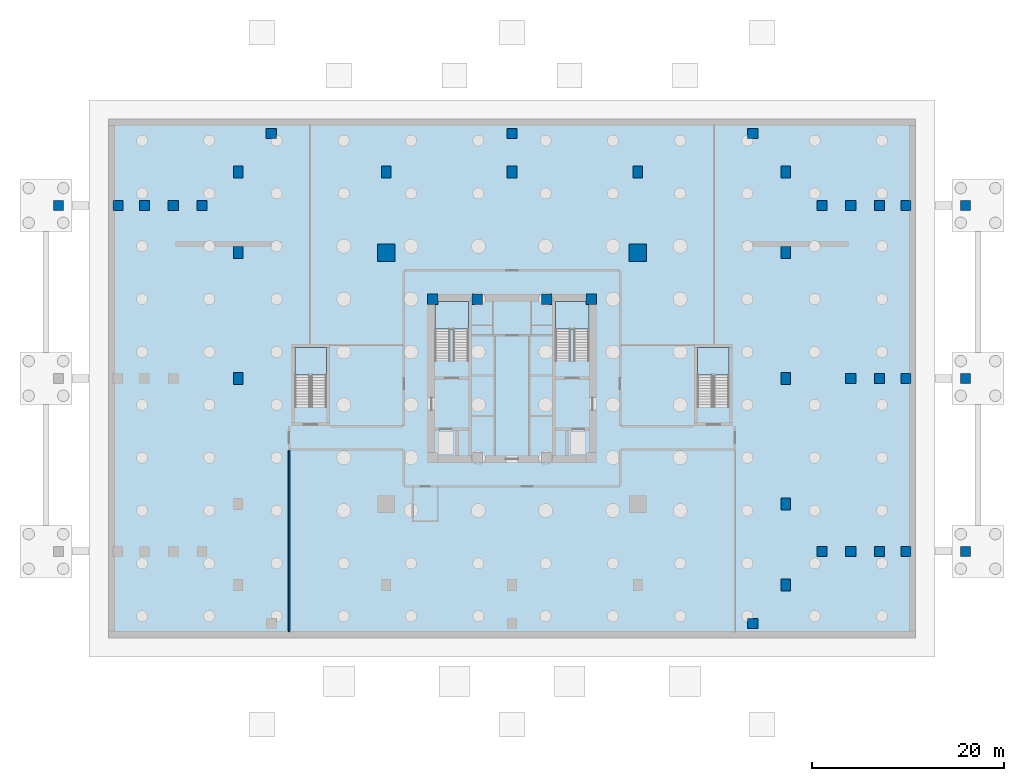
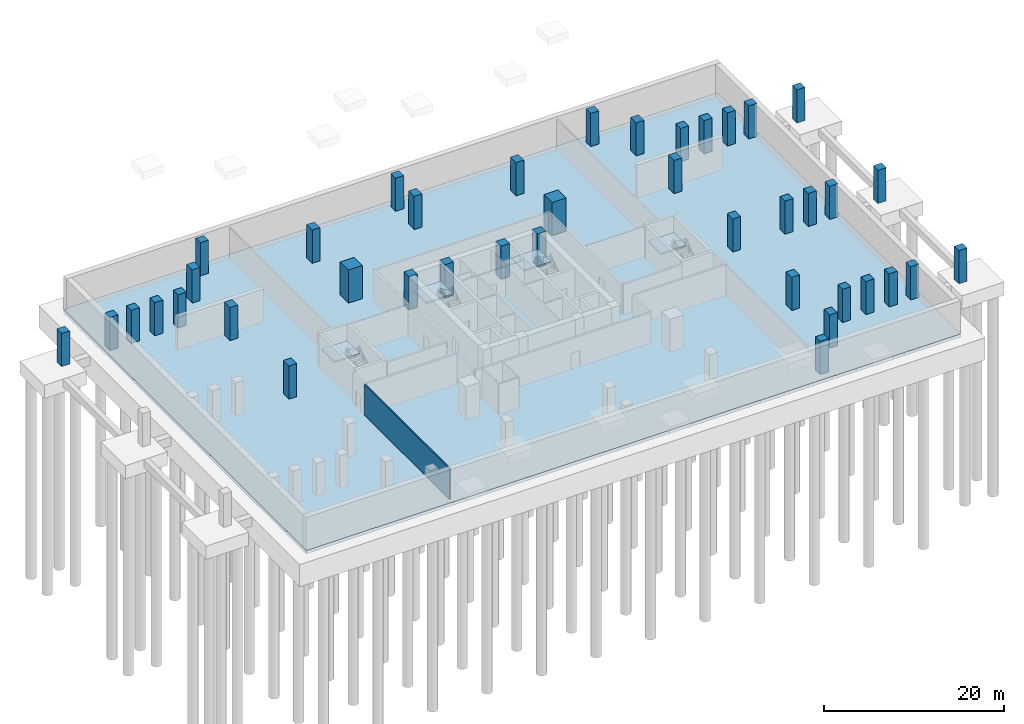
# One storey, part 2 of 8: 40 columns, 5 slabs, 1 wall, 4 elements without a shape of their own.
"""IFC4 building model written with IfcOpenShell, lengths in metres."""

import ifcopenshell
import ifcopenshell.guid

model = None  # the IFC model being written
_history = None  # IfcOwnerHistory: only IFC2X3 demands one
_inside = {}  # id of a spatial element -> (the spatial element, [elements in it])
_under = {}  # id of a project, library or spatial element -> (it, [spatial elements below it])
_declared = {}  # id of a project -> (the project, [libraries it declares])
_typed = {}  # id of a type object -> (the type object, [elements of that type])
_made_of = {}  # id of a material, layer set ... -> (it, [elements and type objects made of it])


def new_model(schema):
    """Start an empty IFC model of exactly this schema.

    Asked for "IFC4X3", IfcOpenShell would pick the latest addendum, in which some entities
    have other attributes; the version numbers below select the first issue.
    IFC2X3 requires an IfcOwnerHistory on every rooted entity: one is made here for all.
    """
    global model, _history
    if schema == "IFC4X3":
        model = ifcopenshell.file(schema_version=(4, 3, 0, 0))
    else:
        model = ifcopenshell.file(schema=schema)
    _inside.clear()
    _under.clear()
    _declared.clear()
    _typed.clear()
    _made_of.clear()
    _history = None
    if model.schema == "IFC2X3":
        org = make("IfcOrganization", Name="unknown")
        user = make(
            "IfcPersonAndOrganization",
            ThePerson=make("IfcPerson", FamilyName="unknown"),
            TheOrganization=org,
        )
        app = make(
            "IfcApplication",
            ApplicationDeveloper=org,
            Version="unknown",
            ApplicationFullName="unknown",
            ApplicationIdentifier="unknown",
        )
        _history = make(
            "IfcOwnerHistory",
            OwningUser=user,
            OwningApplication=app,
            ChangeAction="ADDED",
            CreationDate=0,
        )
    return model


def make(cls, **values):
    """One entity of the class cls with the attributes given. An attribute that is None is left unset."""
    return model.create_entity(
        cls, **{name: value for name, value in values.items() if value is not None}
    )


def rooted(cls, **values):
    """An entity with a GlobalId (a new one), such as an element, a storey or a relation."""
    return make(cls, GlobalId=ifcopenshell.guid.new(), OwnerHistory=_history, **values)


def si_unit(unit_type, name, prefix=None):
    """IfcSIUnit, for example si_unit("LENGTHUNIT", "METRE", prefix="MILLI")."""
    return make("IfcSIUnit", UnitType=unit_type, Prefix=prefix, Name=name)


def assignment(units):
    """IfcUnitAssignment: the units of a project."""
    return None if units is None else make("IfcUnitAssignment", Units=units)


def point(xyz):
    """IfcCartesianPoint."""
    return None if xyz is None else make("IfcCartesianPoint", Coordinates=xyz)


def direction(xyz):
    """IfcDirection."""
    return None if xyz is None else make("IfcDirection", DirectionRatios=xyz)


def frame(location, z_axis=None, x_axis=None):
    """IfcAxis2Placement3D, a coordinate frame: its origin and axes. An axis left out is left unset."""
    return make(
        "IfcAxis2Placement3D",
        Location=point(location),
        Axis=direction(z_axis),
        RefDirection=direction(x_axis),
    )


def frame_2d(location, x_axis=None):
    """IfcAxis2Placement2D, a coordinate frame in the plane: its origin and x axis."""
    return make(
        "IfcAxis2Placement2D", Location=point(location), RefDirection=direction(x_axis)
    )


def origin():
    """The frame at (0, 0, 0) with its axes left unset."""
    return frame((0.0, 0.0, 0.0))


def origin_2d():
    """The frame at (0, 0) in the plane with its x axis left unset."""
    return frame_2d((0.0, 0.0))


def place(relative_to, where):
    """IfcLocalPlacement: puts the frame where relative to a parent placement (None: the world)."""
    return make(
        "IfcLocalPlacement", PlacementRelTo=relative_to, RelativePlacement=where
    )


def context(
    kind, dimensions, precision=None, world=None, true_north=None, identifier=None
):
    """IfcGeometricRepresentationContext, for example the 3D "Model" context."""
    return make(
        "IfcGeometricRepresentationContext",
        ContextIdentifier=identifier,
        ContextType=kind,
        CoordinateSpaceDimension=dimensions,
        Precision=precision,
        WorldCoordinateSystem=world,
        TrueNorth=true_north,
    )


def subcontext(parent, identifier, kind, view, scale=None):
    """IfcGeometricRepresentationSubContext, for example "Body" below "Model"."""
    return make(
        "IfcGeometricRepresentationSubContext",
        ContextIdentifier=identifier,
        ContextType=kind,
        ParentContext=parent,
        TargetScale=scale,
        TargetView=view,
    )


def project(units=None, contexts=None):
    """IfcProject with its units and contexts."""
    return rooted(
        "IfcProject",
        Name="project",
        RepresentationContexts=contexts,
        UnitsInContext=assignment(units),
    )


def spatial(cls, under=None, at=None, **own):
    """A site, building, storey or space (cls), placed at a placement, below another one or the project."""
    s = rooted(cls, ObjectPlacement=at, **own)
    if under is not None:
        _under.setdefault(under.id(), (under, []))[1].append(s)
    return s


def polyline(points):
    """IfcPolyline through the points."""
    return make("IfcPolyline", Points=[point(p) for p in points])


def profile(cls, at=None, kind="AREA", **sizes):
    """A parametric profile (cls). Its sizes go by their IFC names, for example OverallWidth=200.0."""
    return make(cls, ProfileType=kind, Position=at, **sizes)


def rectangle(**sizes):
    """IfcRectangleProfileDef."""
    return profile("IfcRectangleProfileDef", **sizes)


def outline(outer, holes=None, kind="AREA"):
    """IfcArbitraryClosedProfileDef: a profile drawn as a closed curve; with holes, ...WithVoids."""
    if holes is None:
        return make("IfcArbitraryClosedProfileDef", ProfileType=kind, OuterCurve=outer)
    return make(
        "IfcArbitraryProfileDefWithVoids",
        ProfileType=kind,
        OuterCurve=outer,
        InnerCurves=holes,
    )


def extrude(swept, where, along, depth):
    """IfcExtrudedAreaSolid: the profile swept, set in the frame where, extruded along a direction by depth."""
    return make(
        "IfcExtrudedAreaSolid",
        SweptArea=swept,
        Position=where,
        ExtrudedDirection=direction(along),
        Depth=depth,
    )


def shape(context_of_items, identifier, shape_type, items):
    """IfcShapeRepresentation: the items that make up one representation, for example the "Body"."""
    return make(
        "IfcShapeRepresentation",
        ContextOfItems=context_of_items,
        RepresentationIdentifier=identifier,
        RepresentationType=shape_type,
        Items=items,
    )


def source(mapping_origin, context_of_items, identifier, shape_type, items):
    """IfcRepresentationMap: a shape defined once, which mapped items show again and again."""
    return make(
        "IfcRepresentationMap",
        MappingOrigin=mapping_origin,
        MappedRepresentation=shape(context_of_items, identifier, shape_type, items),
    )


def transform(
    local_origin,
    x_axis=None,
    y_axis=None,
    z_axis=None,
    scale=None,
    scale2=None,
    scale3=None,
    uniform=True,
):
    """IfcCartesianTransformationOperator3D, or its non-uniform kind. x_axis, y_axis, z_axis: its Axis1, 2, 3."""
    if uniform:
        return make(
            "IfcCartesianTransformationOperator3D",
            Axis1=direction(x_axis),
            Axis2=direction(y_axis),
            LocalOrigin=point(local_origin),
            Scale=scale,
            Axis3=direction(z_axis),
        )
    return make(
        "IfcCartesianTransformationOperator3DnonUniform",
        Axis1=direction(x_axis),
        Axis2=direction(y_axis),
        LocalOrigin=point(local_origin),
        Scale=scale,
        Axis3=direction(z_axis),
        Scale2=scale2,
        Scale3=scale3,
    )


def mapped(mapping_source, mapping_target):
    """IfcMappedItem: shows the shape of a source again, moved by a transform."""
    return make(
        "IfcMappedItem", MappingSource=mapping_source, MappingTarget=mapping_target
    )


def material(Name=None, Category=None):
    """IfcMaterial."""
    return make("IfcMaterial", Name=Name, Category=Category)


def layer(
    of_material, thickness, ventilated=None, Name=None, Category=None, Priority=None
):
    """IfcMaterialLayer: one layer of a wall or slab, of a material (None: an air gap)."""
    return make(
        "IfcMaterialLayer",
        Material=of_material,
        LayerThickness=thickness,
        IsVentilated=ventilated,
        Name=Name,
        Category=Category,
        Priority=Priority,
    )


def layer_set(layers, Name=None):
    """IfcMaterialLayerSet."""
    return make("IfcMaterialLayerSet", MaterialLayers=layers, LayerSetName=Name)


def material_profile(
    of_material, cross_section, Name=None, Category=None, Priority=None
):
    """IfcMaterialProfile: a cross section and its material."""
    return make(
        "IfcMaterialProfile",
        Name=Name,
        Material=of_material,
        Profile=cross_section,
        Priority=Priority,
        Category=Category,
    )


def profile_set(profiles, Name=None, composite=None):
    """IfcMaterialProfileSet."""
    return make(
        "IfcMaterialProfileSet",
        Name=Name,
        MaterialProfiles=profiles,
        CompositeProfile=composite,
    )


def made_of(thing, what):
    """Note that an element or type object is made of a material, layer set ...; save() writes the relation."""
    if what is not None:
        _made_of.setdefault(what.id(), (what, []))[1].append(thing)
    return thing


def type_object(cls, material=None, **own):
    """A type object (cls), such as IfcWallType, which elements share."""
    return made_of(rooted(cls, **own), material)


def element(
    cls,
    number,
    at=None,
    inside=None,
    cuts=None,
    type_object=None,
    material=None,
    context=None,
    identifier="Body",
    shape_type=None,
    held_by="IfcProductDefinitionShape",
    body=None,
    shapes=None,
    **own,
):
    """One element of the class cls, such as IfcWall. Its Tag is "e" and its number.

    at: its placement. inside: the storey or other place that contains it. cuts: it is an
    opening in that element (IfcRelVoidsElement). A single representation is given by context,
    identifier, shape_type and body (its items); several are given by shapes. held_by: the class
    of the entity that holds the representations. save() writes the other relations.
    """
    e = rooted(cls, Tag="e%d" % number, ObjectPlacement=at, **own)
    if body is not None:
        shapes = [shape(context, identifier, shape_type, body)]
    if shapes is not None:
        e.Representation = make(held_by, Representations=shapes)
    if inside is not None:
        _inside.setdefault(inside.id(), (inside, []))[1].append(e)
    if cuts is not None:
        rooted(
            "IfcRelVoidsElement", RelatingBuildingElement=cuts, RelatedOpeningElement=e
        )
    if type_object is not None:
        _typed.setdefault(type_object.id(), (type_object, []))[1].append(e)
    return made_of(e, material)


def aggregate(whole, parts):
    """IfcRelAggregates: a whole, such as a stair, and the parts it consists of."""
    return rooted("IfcRelAggregates", RelatingObject=whole, RelatedObjects=parts)


def save(model, path):
    """Write the relations noted so far, then the file.

    IfcRelAggregates (storeys below a building ...), IfcRelContainedInSpatialStructure (elements
    in a storey), IfcRelDefinesByType, IfcRelAssociatesMaterial and IfcRelDeclares: one each for
    every whole, place, type object, material and project.
    """
    for whole, parts in _under.values():
        aggregate(whole, parts)
    for where, things in _inside.values():
        rooted(
            "IfcRelContainedInSpatialStructure",
            RelatedElements=things,
            RelatingStructure=where,
        )
    for kind, things in _typed.values():
        rooted("IfcRelDefinesByType", RelatedObjects=things, RelatingType=kind)
    for what, things in _made_of.values():
        rooted("IfcRelAssociatesMaterial", RelatedObjects=things, RelatingMaterial=what)
    for by, libraries in _declared.values():
        rooted("IfcRelDeclares", RelatingContext=by, RelatedDefinitions=libraries)
    model.write(path)


model = new_model("IFC4")

# Units and contexts
model_context = context("Model", 3, precision=1e-05, world=origin(), true_north=direction((0.0, 1.0)))
body_context = subcontext(model_context, "Body", "Model", "MODEL_VIEW")
ifc_project = project(units=[si_unit("LENGTHUNIT", "METRE"), si_unit("AREAUNIT", "SQUARE_METRE"), si_unit("VOLUMEUNIT", "CUBIC_METRE"), si_unit("PLANEANGLEUNIT", "RADIAN"), si_unit("MASSUNIT", "GRAM", prefix="KILO"), si_unit("THERMODYNAMICTEMPERATUREUNIT", "KELVIN")], contexts=[model_context])

# Site, building, storey
site_placement = place(None, origin())
site = spatial("IfcSite", under=ifc_project, at=site_placement, CompositionType="ELEMENT")
building_placement = place(site_placement, origin())
building = spatial("IfcBuilding", under=site, at=building_placement, Name="Kosmvard Interchange Tower", CompositionType="ELEMENT")
storey_placement = place(building_placement, frame((0.0, 0.0, -9.0)))
storey = spatial("IfcBuildingStorey", under=building, at=storey_placement, Name="B02", CompositionType="ELEMENT", Elevation=-9.0)

# Columns
ifc_material_1 = material(Name="Concrete C60/75", Category="concrete")
ifc_material_profile_1 = material_profile(ifc_material_1, rectangle(XDim=1.050048828125, YDim=1.050048828125, at=origin_2d()), Name="PC 1050x1050")
ifc_profile_set_1 = profile_set([ifc_material_profile_1], Name="Concrete C60/75")
column_type_1 = type_object("IfcColumnType", Name="Podium Perimeter Column 1050x1050 C60/75", PredefinedType="COLUMN", material=ifc_profile_set_1)
shared_shape_1 = source(origin(), body_context, "Body", "SweptSolid", [
    extrude(rectangle(XDim=1.050048828125, YDim=1.050048828125, at=origin_2d()), origin(), (0.0, 0.0, 1.0), 4.5),
])
for number, where, z_axis, x_axis, name in (
    (1, (-47.199951171875, 18.0, 0.0), (0.0, 0.0, 1.0), (1.0, 0.0, 0.0), "B02 Plaza Foundation Pier PC-PW3"),
    (2, (47.199951171875, -18.0, 0.0), (0.0, 0.0, 1.0), (1.0, 0.0, 0.0), "B02 Plaza Foundation Pier PC-PE1"),
    (3, (47.199951171875, 0.0, 0.0), (0.0, 0.0, 1.0), (1.0, 0.0, 0.0), "B02 Plaza Foundation Pier PC-PE2"),
    (4, (47.199951171875, 18.0, 0.0), (0.0, 0.0, 1.0), (1.0, 0.0, 0.0), "B02 Plaza Foundation Pier PC-PE3"),
    (5, (25.050048828125, -25.5, 0.0), (0.0, 0.0, 1.0), (1.0, 0.0, 0.0), "B02 Podium Column PC-TS3"),
    (6, (-25.050048828125, 25.5, 0.0), (0.0, 0.0, 1.0), (1.0, 0.0, 0.0), "B02 Podium Column PC-TN1"),
    (7, (0.0, 25.5, 0.0), (0.0, 0.0, 1.0), (1.0, 0.0, 0.0), "B02 Podium Column PC-TN2"),
    (8, (25.050048828125, 25.5, 0.0), (0.0, 0.0, 1.0), (1.0, 0.0, 0.0), "B02 Podium Column PC-TN3"),
    (9, (-32.25, 18.0, 0.0), (0.0, 0.0, 1.0), (1.0, 0.0, 0.0), "B02 Podium Column PC-TW4"),
    (10, (32.25, -18.0, 0.0), (0.0, 0.0, 1.0), (1.0, 0.0, 0.0), "B02 Podium Column PC-TE3"),
    (11, (32.25, 18.0, 0.0), (0.0, 0.0, 1.0), (1.0, 0.0, 0.0), "B02 Podium Column PC-TE4"),
    (12, (-35.25, 18.0, 0.0), (0.0, 0.0, 1.0), (1.0, 0.0, 0.0), "B02 Podium Column PC-TW6"),
    (13, (35.25, -18.0, 0.0), (0.0, 0.0, 1.0), (1.0, 0.0, 0.0), "B02 Podium Column PC-TE2"),
    (14, (35.25, 0.0, 0.0), (0.0, 0.0, 1.0), (1.0, 0.0, 0.0), "B02 Podium Column PC-TE5"),
    (15, (35.25, 18.0, 0.0), (0.0, 0.0, 1.0), (1.0, 0.0, 0.0), "B02 Podium Column PC-TE6"),
    (16, (-38.25, 18.0, 0.0), (0.0, 0.0, 1.0), (1.0, 0.0, 0.0), "B02 Podium Column PC-TW8"),
    (17, (38.25, -18.0, 0.0), (0.0, 0.0, 1.0), (1.0, 0.0, 0.0), "B02 Podium Column PC-TE1"),
    (18, (38.25, 0.0, 0.0), (0.0, 0.0, 1.0), (1.0, 0.0, 0.0), "B02 Podium Column PC-TE7"),
    (19, (38.25, 18.0, 0.0), (0.0, 0.0, 1.0), (1.0, 0.0, 0.0), "B02 Podium Column PC-TE8"),
    (20, (-41.0, 18.0, 0.0), (0.0, 0.0, 1.0), (1.0, 0.0, 0.0), "B02 Podium Column PC-BW3"),
    (21, (41.0, -18.0, 0.0), (0.0, 0.0, 1.0), (1.0, 0.0, 0.0), "B02 Podium Column PC-BE1"),
    (22, (41.0, 0.0, 0.0), (0.0, 0.0, 1.0), (1.0, 0.0, 0.0), "B02 Podium Column PC-BE2"),
    (23, (41.0, 18.0, 0.0), (0.0, 0.0, 1.0), (1.0, 0.0, 0.0), "B02 Podium Column PC-BE3"),
):
    element("IfcColumn", number, at=place(storey_placement, frame(where, z_axis=z_axis, x_axis=x_axis)), inside=storey, type_object=column_type_1, Name=name, PredefinedType="COLUMN", context=body_context, shape_type="MappedRepresentation", body=[
        mapped(shared_shape_1, transform((0.0, 0.0, 0.0), scale=1.0)),
    ])
ifc_material_2 = material(Name="Concrete C80/95", Category="concrete")
ifc_material_profile_2 = material_profile(ifc_material_2, rectangle(XDim=1.10009765625, YDim=1.10009765625, at=origin_2d()), Name="CP 1100x1100")
ifc_profile_set_2 = profile_set([ifc_material_profile_2], Name="Concrete C80/95")
column_type_2 = type_object("IfcColumnType", Name="Core Boundary Pilaster 1100x1100 C80/95", PredefinedType="PILASTER", material=ifc_profile_set_2)
shared_shape_2 = source(origin(), body_context, "Body", "SweptSolid", [
    extrude(rectangle(XDim=1.10009765625, YDim=1.10009765625, at=origin_2d()), origin(), (0.0, 0.0, 1.0), 4.5),
])
for number, where, z_axis, x_axis, name in (
    (24, (8.25, 8.25, 0.0), (0.0, 0.0, 1.0), (1.0, 0.0, 0.0), "B02 Core Pilaster CP3"),
    (25, (-8.25, 8.25, 0.0), (0.0, 0.0, 1.0), (1.0, 0.0, 0.0), "B02 Core Pilaster CP4"),
    (26, (-3.60009765625, 8.25, 0.0), (0.0, 0.0, 1.0), (1.0, 0.0, 0.0), "B02 Core Pilaster CP7"),
    (27, (3.60009765625, 8.25, 0.0), (0.0, 0.0, 1.0), (1.0, 0.0, 0.0), "B02 Core Pilaster CP8"),
):
    element("IfcColumn", number, at=place(storey_placement, frame(where, z_axis=z_axis, x_axis=x_axis)), inside=storey, type_object=column_type_2, Name=name, PredefinedType="PILASTER", context=body_context, shape_type="MappedRepresentation", body=[
        mapped(shared_shape_2, transform((0.0, 0.0, 0.0), scale=1.0)),
    ])
ifc_material_profile_3 = material_profile(ifc_material_2, rectangle(XDim=1.800048828125, YDim=1.800048828125, at=origin_2d()), Name="MC 1800x1800")
ifc_profile_set_3 = profile_set([ifc_material_profile_3], Name="Concrete C80/95")
column_type_3 = type_object("IfcColumnType", Name="Composite Mega-Column 1800x1800 C80/95", PredefinedType="COLUMN", material=ifc_profile_set_3)
shared_shape_3 = source(origin(), body_context, "Body", "SweptSolid", [
    extrude(rectangle(XDim=1.800048828125, YDim=1.800048828125, at=origin_2d()), origin(), (0.0, 0.0, 1.0), 4.5),
])
for number, where, z_axis, x_axis, name in (
    (28, (13.0810546875, 13.0810546875, 0.0), (0.0, 0.0, 1.0), (1.0, 0.0, 0.0), "B02 Corner Mega-Column MC3"),
    (29, (-13.0810546875, 13.0810546875, 0.0), (0.0, 0.0, 1.0), (1.0, 0.0, 0.0), "B02 Corner Mega-Column MC4"),
):
    element("IfcColumn", number, at=place(storey_placement, frame(where, z_axis=z_axis, x_axis=x_axis)), inside=storey, type_object=column_type_3, Name=name, PredefinedType="COLUMN", context=body_context, shape_type="MappedRepresentation", body=[
        mapped(shared_shape_3, transform((0.0, 0.0, 0.0), scale=1.0)),
    ])
ifc_material_profile_4 = material_profile(ifc_material_1, rectangle(XDim=1.0, YDim=1.25, at=origin_2d()), Name="PC 1250x1000")
ifc_profile_set_4 = profile_set([ifc_material_profile_4], Name="Concrete C60/75")
column_type_4 = type_object("IfcColumnType", Name="Podium Concourse Column 1250x1000 C60/75", PredefinedType="COLUMN", material=ifc_profile_set_4)
shared_shape_4 = source(origin(), body_context, "Body", "SweptSolid", [
    extrude(rectangle(XDim=1.0, YDim=1.25, at=origin_2d()), origin(), (0.0, 0.0, 1.0), 4.5),
])
for number, where, z_axis, x_axis, name in (
    (30, (28.5, -21.5, 0.0), (0.0, 0.0, 1.0), (1.0, 0.0, 0.0), "B02 Podium Column PC-S5"),
    (31, (-28.5, 21.5, 0.0), (0.0, 0.0, 1.0), (1.0, 0.0, 0.0), "B02 Podium Column PC-N1"),
    (32, (-13.0810546875, 21.5, 0.0), (0.0, 0.0, 1.0), (1.0, 0.0, 0.0), "B02 Podium Column PC-N2"),
    (33, (0.0, 21.5, 0.0), (0.0, 0.0, 1.0), (1.0, 0.0, 0.0), "B02 Podium Column PC-N3"),
    (34, (13.0810546875, 21.5, 0.0), (0.0, 0.0, 1.0), (1.0, 0.0, 0.0), "B02 Podium Column PC-N4"),
    (35, (28.5, 21.5, 0.0), (0.0, 0.0, 1.0), (1.0, 0.0, 0.0), "B02 Podium Column PC-N5"),
    (36, (-28.5, 0.0, 0.0), (0.0, 0.0, 1.0), (1.0, 0.0, 0.0), "B02 Podium Column PC-W2"),
    (37, (-28.5, 13.0810546875, 0.0), (0.0, 0.0, 1.0), (1.0, 0.0, 0.0), "B02 Podium Column PC-W3"),
    (38, (28.5, -13.0810546875, 0.0), (0.0, 0.0, 1.0), (1.0, 0.0, 0.0), "B02 Podium Column PC-E1"),
    (39, (28.5, 0.0, 0.0), (0.0, 0.0, 1.0), (1.0, 0.0, 0.0), "B02 Podium Column PC-E2"),
    (40, (28.5, 13.0810546875, 0.0), (0.0, 0.0, 1.0), (1.0, 0.0, 0.0), "B02 Podium Column PC-E3"),
):
    element("IfcColumn", number, at=place(storey_placement, frame(where, z_axis=z_axis, x_axis=x_axis)), inside=storey, type_object=column_type_4, Name=name, PredefinedType="COLUMN", context=body_context, shape_type="MappedRepresentation", body=[
        mapped(shared_shape_4, transform((0.0, 0.0, 0.0), scale=1.0)),
    ])

# Slab
ifc_material_3 = material(Name="Concrete C50/60", Category="concrete")
ifc_layer_1 = layer(ifc_material_3, 0.449951171875, Name="Concrete C50/60")
ifc_layer_set_1 = layer_set([ifc_layer_1], Name="Concrete C50/60")
slab_type_1 = type_object("IfcSlabType", Name="Basement Sub-Base Mat Slab 450 C50/60", PredefinedType="BASESLAB", material=ifc_layer_set_1)
slab_1_placement = place(storey_placement, frame((0.0, 0.0, -0.449951171875)))
element("IfcSlab", 41, at=slab_1_placement, inside=storey, type_object=slab_type_1, Name="B02 Mat Base Slab", PredefinedType="BASESLAB", context=body_context, shape_type="SweptSolid", body=[
    extrude(outline(polyline([(-42.0, -27.0), (42.0, -27.0), (42.0, 27.0), (-42.0, 27.0), (-42.0, -27.0)])), origin(), (0.0, 0.0, 1.0), 0.449951171875),
])

# Stair, slab
stair_type = type_object("IfcStairType", Name="Dog-Leg Core Exit Stair H4500 C50/60", PredefinedType="HALF_TURN_STAIR", material=ifc_material_3)
stair_1_placement = place(storey_placement, origin())
stair_1 = element("IfcStair", 42, at=stair_1_placement, inside=storey, type_object=stair_type, Name="B02 Protected Exit Stair ST-1", PredefinedType="HALF_TURN_STAIR")
ifc_layer_2 = layer(ifc_material_3, 0.199951171875, Name="Concrete C50/60")
ifc_layer_set_2 = layer_set([ifc_layer_2], Name="Concrete C50/60")
slab_type_2 = type_object("IfcSlabType", Name="Stair Half-Landing Slab 200 C50/60", PredefinedType="LANDING", material=ifc_layer_set_2)
slab_2_placement = place(storey_placement, frame((0.0, 0.0, 2.050048828125)))
slab_2 = element("IfcSlab", 43, at=slab_2_placement, type_object=slab_type_2, Name="ST-1 landing 1", PredefinedType="LANDING", context=body_context, shape_type="SweptSolid", body=[
    extrude(outline(polyline([(-4.5400390625, 5.159912109375), (-4.5400390625, 8.0), (-8.0, 8.0), (-8.0, 5.159912109375), (-4.5400390625, 5.159912109375)])), origin(), (0.0, 0.0, 1.0), 0.199951171875),
])
aggregate(stair_1, [slab_2])

stair_2_placement = place(storey_placement, origin())
stair_2 = element("IfcStair", 44, at=stair_2_placement, inside=storey, type_object=stair_type, Name="B02 Protected Exit Stair ST-2", PredefinedType="HALF_TURN_STAIR")
slab_3_placement = place(storey_placement, frame((0.0, 0.0, 2.050048828125)))
slab_3 = element("IfcSlab", 45, at=slab_3_placement, type_object=slab_type_2, Name="ST-2 landing 1", PredefinedType="LANDING", context=body_context, shape_type="SweptSolid", body=[
    extrude(outline(polyline([(8.0, 5.159912109375), (8.0, 8.0), (4.5400390625, 8.0), (4.5400390625, 5.159912109375), (8.0, 5.159912109375)])), origin(), (0.0, 0.0, 1.0), 0.199951171875),
])
aggregate(stair_2, [slab_3])

stair_3_placement = place(storey_placement, origin())
stair_3 = element("IfcStair", 46, at=stair_3_placement, inside=storey, type_object=stair_type, Name="B02 Podium Concourse Stair ST-3", PredefinedType="HALF_TURN_STAIR")
slab_4_placement = place(storey_placement, frame((0.0, 0.0, 2.050048828125)))
slab_4 = element("IfcSlab", 47, at=slab_4_placement, type_object=slab_type_2, Name="ST-3 landing 1", PredefinedType="LANDING", context=body_context, shape_type="SweptSolid", body=[
    extrude(outline(polyline([(-19.320068359375, 0.360107421875), (-19.320068359375, 3.199951171875), (-22.580078125, 3.199951171875), (-22.580078125, 0.360107421875), (-19.320068359375, 0.360107421875)])), origin(), (0.0, 0.0, 1.0), 0.199951171875),
])
aggregate(stair_3, [slab_4])

stair_4_placement = place(storey_placement, origin())
stair_4 = element("IfcStair", 48, at=stair_4_placement, inside=storey, type_object=stair_type, Name="B02 Podium Concourse Stair ST-4", PredefinedType="HALF_TURN_STAIR")
slab_5_placement = place(storey_placement, frame((0.0, 0.0, 2.050048828125)))
slab_5 = element("IfcSlab", 49, at=slab_5_placement, type_object=slab_type_2, Name="ST-4 landing 1", PredefinedType="LANDING", context=body_context, shape_type="SweptSolid", body=[
    extrude(outline(polyline([(22.580078125, 0.360107421875), (22.580078125, 3.199951171875), (19.320068359375, 3.199951171875), (19.320068359375, 0.360107421875), (22.580078125, 0.360107421875)])), origin(), (0.0, 0.0, 1.0), 0.199951171875),
])
aggregate(stair_4, [slab_5])

# Wall
ifc_material_4 = material(Name="Acoustic gypsum partition system")
ifc_layer_3 = layer(ifc_material_4, 0.14990234375, Name="Acoustic gypsum partition system")
ifc_layer_set_3 = layer_set([ifc_layer_3], Name="Acoustic gypsum partition system")
wall_type = type_object("IfcWallType", Name="Acoustic Suite & Meeting Partition 150", PredefinedType="PARTITIONING", material=ifc_layer_set_3)
wall_placement = place(storey_placement, frame((-23.199951171875, -26.364990234375, 0.0), z_axis=(0.0, 0.0, 1.0), x_axis=(0.0, 1.0, 0.0)))
element("IfcWall", 50, at=wall_placement, inside=storey, type_object=wall_type, Name="B02 Room Partition 01.1", PredefinedType="PARTITIONING", context=body_context, shape_type="SweptSolid", body=[
    extrude(rectangle(XDim=18.8349609375, YDim=0.14990234375, at=frame_2d((9.41748046875, 0.0))), origin(), (0.0, 0.0, 1.0), 4.179931640625),
])

save(model, "model.ifc")
